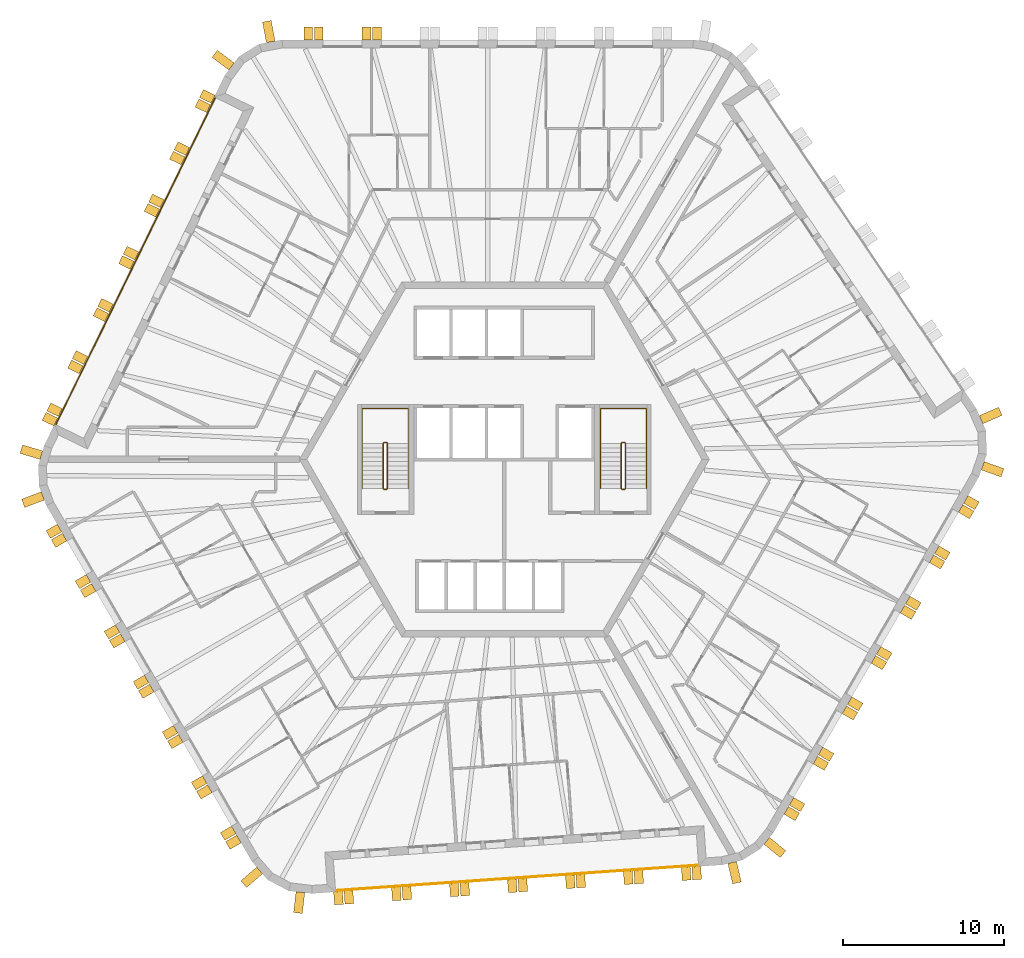
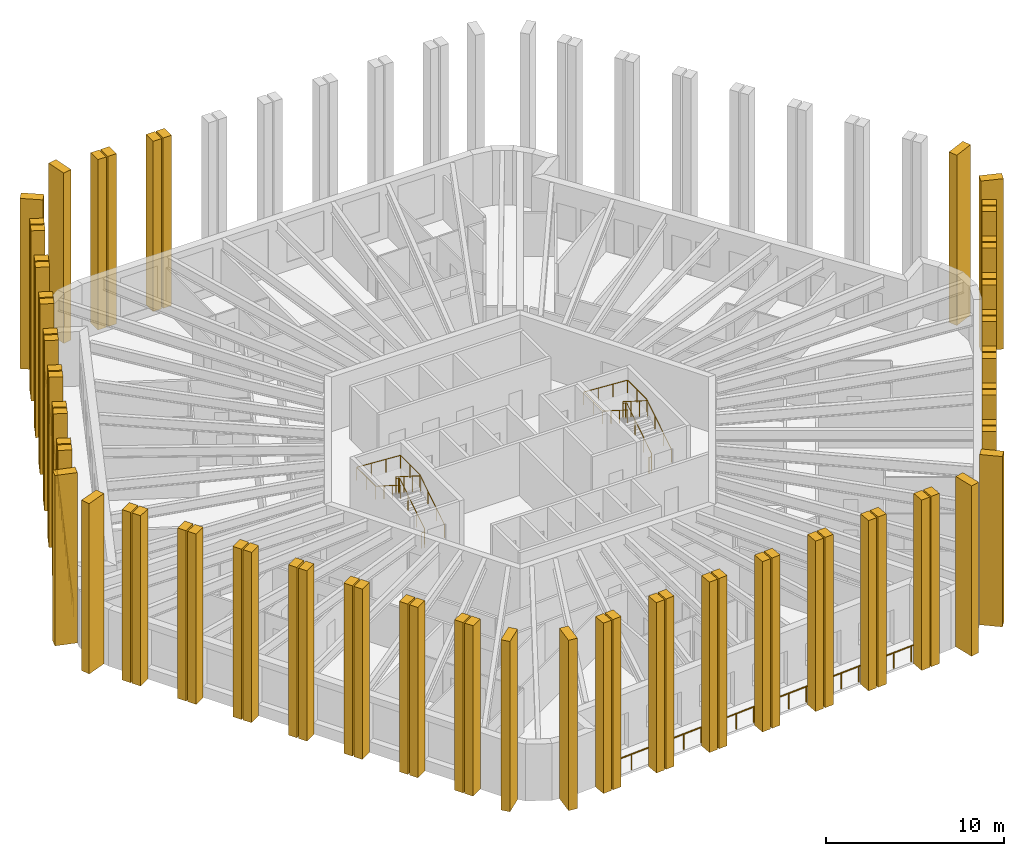
# One storey, part 12 of 13: 70 shading devices, 6 railings.
"""IFC4 building model written with IfcOpenShell, lengths in metres."""

import ifcopenshell
import ifcopenshell.guid

model = None  # the IFC model being written
_history = None  # IfcOwnerHistory: only IFC2X3 demands one
_inside = {}  # id of a spatial element -> (the spatial element, [elements in it])
_under = {}  # id of a project, library or spatial element -> (it, [spatial elements below it])
_declared = {}  # id of a project -> (the project, [libraries it declares])
_typed = {}  # id of a type object -> (the type object, [elements of that type])
_made_of = {}  # id of a material, layer set ... -> (it, [elements and type objects made of it])


def new_model(schema):
    """Start an empty IFC model of exactly this schema.

    Asked for "IFC4X3", IfcOpenShell would pick the latest addendum, in which some entities
    have other attributes; the version numbers below select the first issue.
    IFC2X3 requires an IfcOwnerHistory on every rooted entity: one is made here for all.
    """
    global model, _history
    if schema == "IFC4X3":
        model = ifcopenshell.file(schema_version=(4, 3, 0, 0))
    else:
        model = ifcopenshell.file(schema=schema)
    _inside.clear()
    _under.clear()
    _declared.clear()
    _typed.clear()
    _made_of.clear()
    _history = None
    if model.schema == "IFC2X3":
        org = make("IfcOrganization", Name="unknown")
        user = make(
            "IfcPersonAndOrganization",
            ThePerson=make("IfcPerson", FamilyName="unknown"),
            TheOrganization=org,
        )
        app = make(
            "IfcApplication",
            ApplicationDeveloper=org,
            Version="unknown",
            ApplicationFullName="unknown",
            ApplicationIdentifier="unknown",
        )
        _history = make(
            "IfcOwnerHistory",
            OwningUser=user,
            OwningApplication=app,
            ChangeAction="ADDED",
            CreationDate=0,
        )
    return model


def make(cls, **values):
    """One entity of the class cls with the attributes given. An attribute that is None is left unset."""
    return model.create_entity(
        cls, **{name: value for name, value in values.items() if value is not None}
    )


def rooted(cls, **values):
    """An entity with a GlobalId (a new one), such as an element, a storey or a relation."""
    return make(cls, GlobalId=ifcopenshell.guid.new(), OwnerHistory=_history, **values)


def si_unit(unit_type, name, prefix=None):
    """IfcSIUnit, for example si_unit("LENGTHUNIT", "METRE", prefix="MILLI")."""
    return make("IfcSIUnit", UnitType=unit_type, Prefix=prefix, Name=name)


def assignment(units):
    """IfcUnitAssignment: the units of a project."""
    return None if units is None else make("IfcUnitAssignment", Units=units)


def point(xyz):
    """IfcCartesianPoint."""
    return None if xyz is None else make("IfcCartesianPoint", Coordinates=xyz)


def direction(xyz):
    """IfcDirection."""
    return None if xyz is None else make("IfcDirection", DirectionRatios=xyz)


def frame(location, z_axis=None, x_axis=None):
    """IfcAxis2Placement3D, a coordinate frame: its origin and axes. An axis left out is left unset."""
    return make(
        "IfcAxis2Placement3D",
        Location=point(location),
        Axis=direction(z_axis),
        RefDirection=direction(x_axis),
    )


def frame_2d(location, x_axis=None):
    """IfcAxis2Placement2D, a coordinate frame in the plane: its origin and x axis."""
    return make(
        "IfcAxis2Placement2D", Location=point(location), RefDirection=direction(x_axis)
    )


def origin():
    """The frame at (0, 0, 0) with its axes left unset."""
    return frame((0.0, 0.0, 0.0))


def origin_2d():
    """The frame at (0, 0) in the plane with its x axis left unset."""
    return frame_2d((0.0, 0.0))


def place(relative_to, where):
    """IfcLocalPlacement: puts the frame where relative to a parent placement (None: the world)."""
    return make(
        "IfcLocalPlacement", PlacementRelTo=relative_to, RelativePlacement=where
    )


def context(
    kind, dimensions, precision=None, world=None, true_north=None, identifier=None
):
    """IfcGeometricRepresentationContext, for example the 3D "Model" context."""
    return make(
        "IfcGeometricRepresentationContext",
        ContextIdentifier=identifier,
        ContextType=kind,
        CoordinateSpaceDimension=dimensions,
        Precision=precision,
        WorldCoordinateSystem=world,
        TrueNorth=true_north,
    )


def subcontext(parent, identifier, kind, view, scale=None):
    """IfcGeometricRepresentationSubContext, for example "Body" below "Model"."""
    return make(
        "IfcGeometricRepresentationSubContext",
        ContextIdentifier=identifier,
        ContextType=kind,
        ParentContext=parent,
        TargetScale=scale,
        TargetView=view,
    )


def project(units=None, contexts=None):
    """IfcProject with its units and contexts."""
    return rooted(
        "IfcProject",
        Name="project",
        RepresentationContexts=contexts,
        UnitsInContext=assignment(units),
    )


def spatial(cls, under=None, at=None, **own):
    """A site, building, storey or space (cls), placed at a placement, below another one or the project."""
    s = rooted(cls, ObjectPlacement=at, **own)
    if under is not None:
        _under.setdefault(under.id(), (under, []))[1].append(s)
    return s


def polyline(points):
    """IfcPolyline through the points."""
    return make("IfcPolyline", Points=[point(p) for p in points])


def profile(cls, at=None, kind="AREA", **sizes):
    """A parametric profile (cls). Its sizes go by their IFC names, for example OverallWidth=200.0."""
    return make(cls, ProfileType=kind, Position=at, **sizes)


def circle(**sizes):
    """IfcCircleProfileDef."""
    return profile("IfcCircleProfileDef", **sizes)


def outline(outer, holes=None, kind="AREA"):
    """IfcArbitraryClosedProfileDef: a profile drawn as a closed curve; with holes, ...WithVoids."""
    if holes is None:
        return make("IfcArbitraryClosedProfileDef", ProfileType=kind, OuterCurve=outer)
    return make(
        "IfcArbitraryProfileDefWithVoids",
        ProfileType=kind,
        OuterCurve=outer,
        InnerCurves=holes,
    )


def extrude(swept, where, along, depth):
    """IfcExtrudedAreaSolid: the profile swept, set in the frame where, extruded along a direction by depth."""
    return make(
        "IfcExtrudedAreaSolid",
        SweptArea=swept,
        Position=where,
        ExtrudedDirection=direction(along),
        Depth=depth,
    )


def shape(context_of_items, identifier, shape_type, items):
    """IfcShapeRepresentation: the items that make up one representation, for example the "Body"."""
    return make(
        "IfcShapeRepresentation",
        ContextOfItems=context_of_items,
        RepresentationIdentifier=identifier,
        RepresentationType=shape_type,
        Items=items,
    )


def material(Name=None, Category=None):
    """IfcMaterial."""
    return make("IfcMaterial", Name=Name, Category=Category)


def layer(
    of_material, thickness, ventilated=None, Name=None, Category=None, Priority=None
):
    """IfcMaterialLayer: one layer of a wall or slab, of a material (None: an air gap)."""
    return make(
        "IfcMaterialLayer",
        Material=of_material,
        LayerThickness=thickness,
        IsVentilated=ventilated,
        Name=Name,
        Category=Category,
        Priority=Priority,
    )


def layer_set(layers, Name=None):
    """IfcMaterialLayerSet."""
    return make("IfcMaterialLayerSet", MaterialLayers=layers, LayerSetName=Name)


def made_of(thing, what):
    """Note that an element or type object is made of a material, layer set ...; save() writes the relation."""
    if what is not None:
        _made_of.setdefault(what.id(), (what, []))[1].append(thing)
    return thing


def type_object(cls, material=None, **own):
    """A type object (cls), such as IfcWallType, which elements share."""
    return made_of(rooted(cls, **own), material)


def element(
    cls,
    number,
    at=None,
    inside=None,
    cuts=None,
    type_object=None,
    material=None,
    context=None,
    identifier="Body",
    shape_type=None,
    held_by="IfcProductDefinitionShape",
    body=None,
    shapes=None,
    **own,
):
    """One element of the class cls, such as IfcWall. Its Tag is "e" and its number.

    at: its placement. inside: the storey or other place that contains it. cuts: it is an
    opening in that element (IfcRelVoidsElement). A single representation is given by context,
    identifier, shape_type and body (its items); several are given by shapes. held_by: the class
    of the entity that holds the representations. save() writes the other relations.
    """
    e = rooted(cls, Tag="e%d" % number, ObjectPlacement=at, **own)
    if body is not None:
        shapes = [shape(context, identifier, shape_type, body)]
    if shapes is not None:
        e.Representation = make(held_by, Representations=shapes)
    if inside is not None:
        _inside.setdefault(inside.id(), (inside, []))[1].append(e)
    if cuts is not None:
        rooted(
            "IfcRelVoidsElement", RelatingBuildingElement=cuts, RelatedOpeningElement=e
        )
    if type_object is not None:
        _typed.setdefault(type_object.id(), (type_object, []))[1].append(e)
    return made_of(e, material)


def aggregate(whole, parts):
    """IfcRelAggregates: a whole, such as a stair, and the parts it consists of."""
    return rooted("IfcRelAggregates", RelatingObject=whole, RelatedObjects=parts)


def save(model, path):
    """Write the relations noted so far, then the file.

    IfcRelAggregates (storeys below a building ...), IfcRelContainedInSpatialStructure (elements
    in a storey), IfcRelDefinesByType, IfcRelAssociatesMaterial and IfcRelDeclares: one each for
    every whole, place, type object, material and project.
    """
    for whole, parts in _under.values():
        aggregate(whole, parts)
    for where, things in _inside.values():
        rooted(
            "IfcRelContainedInSpatialStructure",
            RelatedElements=things,
            RelatingStructure=where,
        )
    for kind, things in _typed.values():
        rooted("IfcRelDefinesByType", RelatedObjects=things, RelatingType=kind)
    for what, things in _made_of.values():
        rooted("IfcRelAssociatesMaterial", RelatedObjects=things, RelatingMaterial=what)
    for by, libraries in _declared.values():
        rooted("IfcRelDeclares", RelatingContext=by, RelatedDefinitions=libraries)
    model.write(path)


model = new_model("IFC4")

# Units and contexts
model_context = context("Model", 3, precision=1e-05, world=origin(), true_north=direction((0.0, 1.0)))
body_context = subcontext(model_context, "Body", "Model", "MODEL_VIEW")
ifc_project = project(units=[si_unit("LENGTHUNIT", "METRE"), si_unit("AREAUNIT", "SQUARE_METRE"), si_unit("VOLUMEUNIT", "CUBIC_METRE"), si_unit("PLANEANGLEUNIT", "RADIAN"), si_unit("MASSUNIT", "GRAM", prefix="KILO")], contexts=[model_context])

# Site, building, storey
site_placement = place(None, origin())
site = spatial("IfcSite", under=ifc_project, at=site_placement, CompositionType="ELEMENT")
building_placement = place(site_placement, origin())
building = spatial("IfcBuilding", under=site, at=building_placement, Name="Tarnside Tower", CompositionType="ELEMENT")
storey_placement = place(building_placement, frame((0.0, 0.0, 314.699951171875)))
storey = spatial("IfcBuildingStorey", under=building, at=storey_placement, Name="L76", CompositionType="ELEMENT", Elevation=314.699951171875)

# Railings
ifc_material_1 = material(Name="Toughened glass", Category="glass")
railing_type_1 = type_object("IfcRailingType", Name="Glass guard 1100", PredefinedType="GUARDRAIL", material=ifc_material_1)
railing_1_placement = place(storey_placement, frame((-17.906005859375, 22.415283203125, 0.0)))
element("IfcRailing", 1, at=railing_1_placement, inside=storey, type_object=railing_type_1, Name="Loggia guard L76 F2", PredefinedType="GUARDRAIL", context=body_context, shape_type="SweptSolid", body=[
    extrude(circle(Radius=0.030029296875, at=origin_2d()), frame((0.0, 0.0, 1.070068359375), z_axis=(-0.438372639335, -0.898793318335, 0.0), x_axis=(0.898793318335, -0.438372639335, 0.0)), (0.0, 0.0, 1.0), 22.544921875),
    extrude(circle(Radius=0.02490234375, at=origin_2d()), origin(), (0.0, 0.0, 1.0), 1.0400390625),
    extrude(circle(Radius=0.02490234375, at=origin_2d()), frame((-0.520263671875, -1.06640625, 0.0)), (0.0, 0.0, 1.0), 1.0400390625),
    extrude(circle(Radius=0.02490234375, at=origin_2d()), frame((-1.040283203125, -2.133056640625, 0.0)), (0.0, 0.0, 1.0), 1.0400390625),
    extrude(circle(Radius=0.02490234375, at=origin_2d()), frame((-1.560546875, -3.199462890625, 0.0)), (0.0, 0.0, 1.0), 1.0400390625),
    extrude(circle(Radius=0.02490234375, at=origin_2d()), frame((-2.08056640625, -4.265869140625, 0.0)), (0.0, 0.0, 1.0), 1.0400390625),
    extrude(circle(Radius=0.02490234375, at=origin_2d()), frame((-2.600830078125, -5.33251953125, 0.0)), (0.0, 0.0, 1.0), 1.0400390625),
    extrude(circle(Radius=0.02490234375, at=origin_2d()), frame((-3.120849609375, -6.39892578125, 0.0)), (0.0, 0.0, 1.0), 1.0400390625),
    extrude(circle(Radius=0.02490234375, at=origin_2d()), frame((-3.64111328125, -7.46533203125, 0.0)), (0.0, 0.0, 1.0), 1.0400390625),
    extrude(circle(Radius=0.02490234375, at=origin_2d()), frame((-4.161376953125, -8.531982421875, 0.0)), (0.0, 0.0, 1.0), 1.0400390625),
    extrude(circle(Radius=0.02490234375, at=origin_2d()), frame((-4.681396484375, -9.598388671875, 0.0)), (0.0, 0.0, 1.0), 1.0400390625),
    extrude(circle(Radius=0.02490234375, at=origin_2d()), frame((-5.20166015625, -10.664794921875, 0.0)), (0.0, 0.0, 1.0), 1.0400390625),
    extrude(circle(Radius=0.02490234375, at=origin_2d()), frame((-5.7216796875, -11.731201171875, 0.0)), (0.0, 0.0, 1.0), 1.0400390625),
    extrude(circle(Radius=0.02490234375, at=origin_2d()), frame((-6.241943359375, -12.7978515625, 0.0)), (0.0, 0.0, 1.0), 1.0400390625),
    extrude(circle(Radius=0.02490234375, at=origin_2d()), frame((-6.76220703125, -13.8642578125, 0.0)), (0.0, 0.0, 1.0), 1.0400390625),
    extrude(circle(Radius=0.02490234375, at=origin_2d()), frame((-7.2822265625, -14.9306640625, 0.0)), (0.0, 0.0, 1.0), 1.0400390625),
    extrude(circle(Radius=0.02490234375, at=origin_2d()), frame((-7.802490234375, -15.997314453125, 0.0)), (0.0, 0.0, 1.0), 1.0400390625),
    extrude(circle(Radius=0.02490234375, at=origin_2d()), frame((-8.322509765625, -17.063720703125, 0.0)), (0.0, 0.0, 1.0), 1.0400390625),
    extrude(circle(Radius=0.02490234375, at=origin_2d()), frame((-8.8427734375, -18.130126953125, 0.0)), (0.0, 0.0, 1.0), 1.0400390625),
    extrude(circle(Radius=0.02490234375, at=origin_2d()), frame((-9.36279296875, -19.19677734375, 0.0)), (0.0, 0.0, 1.0), 1.0400390625),
    extrude(circle(Radius=0.02490234375, at=origin_2d()), frame((-9.883056640625, -20.26318359375, 0.0)), (0.0, 0.0, 1.0), 1.0400390625),
])
railing_2_placement = place(storey_placement, frame((-10.458984375, -26.714599609375, 0.0)))
element("IfcRailing", 2, at=railing_2_placement, inside=storey, type_object=railing_type_1, Name="Loggia guard L76 F4", PredefinedType="GUARDRAIL", context=body_context, shape_type="SweptSolid", body=[
    extrude(circle(Radius=0.030029296875, at=origin_2d()), frame((0.0, 0.0, 1.070068359375), z_axis=(0.997564440639, 0.069750890837, 0.0), x_axis=(-0.069750890837, 0.997564440639, 0.0)), (0.0, 0.0, 1.0), 22.544677734375),
    extrude(circle(Radius=0.02490234375, at=origin_2d()), origin(), (0.0, 0.0, 1.0), 1.0400390625),
    extrude(circle(Radius=0.02490234375, at=origin_2d()), frame((1.18359375, 0.082763671875, 0.0)), (0.0, 0.0, 1.0), 1.0400390625),
    extrude(circle(Radius=0.02490234375, at=origin_2d()), frame((2.367431640625, 0.16552734375, 0.0)), (0.0, 0.0, 1.0), 1.0400390625),
    extrude(circle(Radius=0.02490234375, at=origin_2d()), frame((3.551025390625, 0.248291015625, 0.0)), (0.0, 0.0, 1.0), 1.0400390625),
    extrude(circle(Radius=0.02490234375, at=origin_2d()), frame((4.734619140625, 0.3310546875, 0.0)), (0.0, 0.0, 1.0), 1.0400390625),
    extrude(circle(Radius=0.02490234375, at=origin_2d()), frame((5.91845703125, 0.413818359375, 0.0)), (0.0, 0.0, 1.0), 1.0400390625),
    extrude(circle(Radius=0.02490234375, at=origin_2d()), frame((7.10205078125, 0.49658203125, 0.0)), (0.0, 0.0, 1.0), 1.0400390625),
    extrude(circle(Radius=0.02490234375, at=origin_2d()), frame((8.28564453125, 0.579345703125, 0.0)), (0.0, 0.0, 1.0), 1.0400390625),
    extrude(circle(Radius=0.02490234375, at=origin_2d()), frame((9.469482421875, 0.662109375, 0.0)), (0.0, 0.0, 1.0), 1.0400390625),
    extrude(circle(Radius=0.02490234375, at=origin_2d()), frame((10.653076171875, 0.744873046875, 0.0)), (0.0, 0.0, 1.0), 1.0400390625),
    extrude(circle(Radius=0.02490234375, at=origin_2d()), frame((11.836669921875, 0.82763671875, 0.0)), (0.0, 0.0, 1.0), 1.0400390625),
    extrude(circle(Radius=0.02490234375, at=origin_2d()), frame((13.020263671875, 0.910400390625, 0.0)), (0.0, 0.0, 1.0), 1.0400390625),
    extrude(circle(Radius=0.02490234375, at=origin_2d()), frame((14.2041015625, 0.9931640625, 0.0)), (0.0, 0.0, 1.0), 1.0400390625),
    extrude(circle(Radius=0.02490234375, at=origin_2d()), frame((15.3876953125, 1.075927734375, 0.0)), (0.0, 0.0, 1.0), 1.0400390625),
    extrude(circle(Radius=0.02490234375, at=origin_2d()), frame((16.5712890625, 1.15869140625, 0.0)), (0.0, 0.0, 1.0), 1.0400390625),
    extrude(circle(Radius=0.02490234375, at=origin_2d()), frame((17.755126953125, 1.241455078125, 0.0)), (0.0, 0.0, 1.0), 1.0400390625),
    extrude(circle(Radius=0.02490234375, at=origin_2d()), frame((18.938720703125, 1.32421875, 0.0)), (0.0, 0.0, 1.0), 1.0400390625),
    extrude(circle(Radius=0.02490234375, at=origin_2d()), frame((20.122314453125, 1.406982421875, 0.0)), (0.0, 0.0, 1.0), 1.0400390625),
    extrude(circle(Radius=0.02490234375, at=origin_2d()), frame((21.30615234375, 1.48974609375, 0.0)), (0.0, 0.0, 1.0), 1.0400390625),
    extrude(circle(Radius=0.02490234375, at=origin_2d()), frame((22.48974609375, 1.572509765625, 0.0)), (0.0, 0.0, 1.0), 1.0400390625),
])

# Shading devices
ifc_material_2 = material(Name="Concrete C50/60 white precast", Category="concrete")
ifc_layer_1 = layer(ifc_material_2, 0.550048828125)
ifc_layer_set_1 = layer_set([ifc_layer_1], Name="Precast fin 550 x 1300")
shading_device_type_1 = type_object("IfcShadingDeviceType", Name="Precast fin 550 x 1300", PredefinedType="USERDEFINED", material=ifc_layer_set_1)
for number, where, z_axis, x_axis, name in (
    (3, (-14.4755859375, 25.8671875, -0.14990234375), (0.982720646705, 0.18509492305, 0.0), (-0.18509492305, 0.982720646705, 0.0), "Precast fin"),
    (4, (-16.903564453125, 24.349853515625, -0.14990234375), (0.597158591707, 0.802123192752, 0.0), (-0.802123192752, 0.597158591707, 0.0), "Precast fin"),
    (5, (-28.685791015625, 0.263427734375, -0.14990234375), (0.286803232717, 0.957989512314, 0.0), (-0.957989512314, 0.286803232717, 0.0), "Precast fin"),
    (6, (-28.597412109375, -2.263671875, -0.14990234375), (-0.352930564719, 0.935649515837, 0.0), (-0.935649515837, -0.352930564719, 0.0), "Precast fin"),
    (7, (-15.163818359375, -25.4697265625, -0.14990234375), (-0.651657228826, 0.758513583345, 0.0), (-0.758513583345, -0.651657228826, 0.0), "Precast fin"),
    (8, (-12.6357421875, -26.81396484375, -0.14990234375), (-0.993238357741, 0.116092914131, 0.0), (-0.116092914131, -0.993238357741, 0.0), "Precast fin"),
    (9, (14.11474609375, -24.974365234375, -0.14990234375), (-0.973044870581, -0.230615870737, 0.0), (0.230615870737, -0.973044870581, 0.0), "Precast fin"),
    (10, (16.25927734375, -23.63427734375, -0.14990234375), (-0.633830967394, -0.773471592738, 0.0), (0.773471592738, -0.633830967394, 0.0), "Precast fin"),
    (11, (29.639404296875, -0.3974609375, -0.14990234375), (-0.331063417879, -0.943608506396, 0.0), (0.943608506396, -0.331063417879, 0.0), "Precast fin"),
    (12, (29.53955078125, 2.464111328125, -0.14990234375), (0.396079766034, -0.918216106883, 0.0), (0.918216106883, 0.396079766034, 0.0), "Precast fin"),
):
    element("IfcShadingDevice", number, at=place(storey_placement, frame(where, z_axis=z_axis, x_axis=x_axis)), inside=storey, type_object=shading_device_type_1, Name=name, ObjectType="FIN", PredefinedType="USERDEFINED", context=body_context, shape_type="SweptSolid", body=[
        extrude(outline(polyline([(0.0, 0.0), (1.300048828125, 0.0), (1.300048828125, 11.699951171875), (0.0, 11.699951171875), (0.0, 0.0)])), frame((0.0, 0.0, -0.27490234375)), (0.0, 0.0, 1.0), 0.550048828125),
    ])
ifc_layer_2 = layer(ifc_material_2, 0.550048828125)
ifc_layer_set_2 = layer_set([ifc_layer_2], Name="Precast fin 550 x 800")
shading_device_type_2 = type_object("IfcShadingDeviceType", Name="Precast fin 550 x 800", PredefinedType="USERDEFINED", material=ifc_layer_set_2)
for number, where, z_axis, x_axis, name in (
    (13, (-7.89990234375, 26.0, -0.14990234375), (1.0, 0.0, 0.0), (0.0, 1.0, 0.0), "Precast fin"),
    (14, (-8.5498046875, 26.0, -0.14990234375), (1.0, 0.0, 0.0), (0.0, 1.0, 0.0), "Precast fin"),
    (15, (-11.499755859375, 26.0, -0.14990234375), (1.0, 0.0, 0.0), (0.0, 1.0, 0.0), "Precast fin"),
    (16, (-12.14990234375, 26.0, -0.14990234375), (1.0, 0.0, 0.0), (0.0, 1.0, 0.0), "Precast fin"),
    (17, (-18.04248046875, 22.31787109375, -0.14990234375), (0.438371146789, 0.898794046299, 0.0), (-0.898794046299, 0.438371146789, 0.0), "Precast fin"),
    (18, (-18.327392578125, 21.733642578125, -0.14990234375), (0.438371146789, 0.898794046299, 0.0), (-0.898794046299, 0.438371146789, 0.0), "Precast fin"),
    (19, (-19.62060546875, 19.08203125, -0.14990234375), (0.438371146789, 0.898794046299, 0.0), (-0.898794046299, 0.438371146789, 0.0), "Precast fin"),
    (20, (-19.905517578125, 18.497802734375, -0.14990234375), (0.438371146789, 0.898794046299, 0.0), (-0.898794046299, 0.438371146789, 0.0), "Precast fin"),
    (21, (-21.19873046875, 15.846435546875, -0.14990234375), (0.438371146789, 0.898794046299, 0.0), (-0.898794046299, 0.438371146789, 0.0), "Precast fin"),
    (22, (-21.48388671875, 15.26220703125, -0.14990234375), (0.438371146789, 0.898794046299, 0.0), (-0.898794046299, 0.438371146789, 0.0), "Precast fin"),
    (23, (-22.77685546875, 12.61083984375, -0.14990234375), (0.438371146789, 0.898794046299, 0.0), (-0.898794046299, 0.438371146789, 0.0), "Precast fin"),
    (24, (-23.06201171875, 12.026611328125, -0.14990234375), (0.438371146789, 0.898794046299, 0.0), (-0.898794046299, 0.438371146789, 0.0), "Precast fin"),
    (25, (-24.35498046875, 9.375, -0.14990234375), (0.438371146789, 0.898794046299, 0.0), (-0.898794046299, 0.438371146789, 0.0), "Precast fin"),
    (26, (-24.64013671875, 8.791015625, -0.14990234375), (0.438371146789, 0.898794046299, 0.0), (-0.898794046299, 0.438371146789, 0.0), "Precast fin"),
    (27, (-25.933349609375, 6.139404296875, -0.14990234375), (0.438371146789, 0.898794046299, 0.0), (-0.898794046299, 0.438371146789, 0.0), "Precast fin"),
    (28, (-26.21826171875, 5.55517578125, -0.14990234375), (0.438371146789, 0.898794046299, 0.0), (-0.898794046299, 0.438371146789, 0.0), "Precast fin"),
    (29, (-27.511474609375, 2.90380859375, -0.14990234375), (0.438371146789, 0.898794046299, 0.0), (-0.898794046299, 0.438371146789, 0.0), "Precast fin"),
    (30, (-27.79638671875, 2.319580078125, -0.14990234375), (0.438371146789, 0.898794046299, 0.0), (-0.898794046299, 0.438371146789, 0.0), "Precast fin"),
    (31, (-27.566650390625, -4.2529296875, -0.14990234375), (-0.5, 0.866025403784, 0.0), (-0.866025403784, -0.5, 0.0), "Precast fin"),
    (32, (-27.24169921875, -4.81591796875, -0.14990234375), (-0.5, 0.866025403784, 0.0), (-0.866025403784, -0.5, 0.0), "Precast fin"),
    (33, (-25.766845703125, -7.37060546875, -0.14990234375), (-0.5, 0.866025403784, 0.0), (-0.866025403784, -0.5, 0.0), "Precast fin"),
    (34, (-25.441650390625, -7.93359375, -0.14990234375), (-0.5, 0.866025403784, 0.0), (-0.866025403784, -0.5, 0.0), "Precast fin"),
    (35, (-23.966796875, -10.48828125, -0.14990234375), (-0.5, 0.866025403784, 0.0), (-0.866025403784, -0.5, 0.0), "Precast fin"),
    (36, (-23.641845703125, -11.05126953125, -0.14990234375), (-0.5, 0.866025403784, 0.0), (-0.866025403784, -0.5, 0.0), "Precast fin"),
    (37, (-22.166748046875, -13.60595703125, -0.14990234375), (-0.5, 0.866025403784, 0.0), (-0.866025403784, -0.5, 0.0), "Precast fin"),
    (38, (-21.841796875, -14.1689453125, -0.14990234375), (-0.5, 0.866025403784, 0.0), (-0.866025403784, -0.5, 0.0), "Precast fin"),
    (39, (-20.36669921875, -16.7236328125, -0.14990234375), (-0.5, 0.866025403784, 0.0), (-0.866025403784, -0.5, 0.0), "Precast fin"),
    (40, (-20.041748046875, -17.28662109375, -0.14990234375), (-0.5, 0.866025403784, 0.0), (-0.866025403784, -0.5, 0.0), "Precast fin"),
    (41, (-18.566650390625, -19.84130859375, -0.14990234375), (-0.5, 0.866025403784, 0.0), (-0.866025403784, -0.5, 0.0), "Precast fin"),
    (42, (-18.24169921875, -20.404296875, -0.14990234375), (-0.5, 0.866025403784, 0.0), (-0.866025403784, -0.5, 0.0), "Precast fin"),
    (43, (-16.766845703125, -22.959228515625, -0.14990234375), (-0.5, 0.866025403784, 0.0), (-0.866025403784, -0.5, 0.0), "Precast fin"),
    (44, (-16.441650390625, -23.52197265625, -0.14990234375), (-0.5, 0.866025403784, 0.0), (-0.866025403784, -0.5, 0.0), "Precast fin"),
    (45, (-10.306396484375, -26.7841796875, -0.14990234375), (-0.99756405026, -0.069756473744, 0.0), (0.069756473744, -0.99756405026, 0.0), "Precast fin"),
    (46, (-9.657958984375, -26.73876953125, -0.14990234375), (-0.99756405026, -0.069756473744, 0.0), (0.069756473744, -0.99756405026, 0.0), "Precast fin"),
    (47, (-6.71533203125, -26.532958984375, -0.14990234375), (-0.99756405026, -0.069756473744, 0.0), (0.069756473744, -0.99756405026, 0.0), "Precast fin"),
    (48, (-6.06689453125, -26.48779296875, -0.14990234375), (-0.99756405026, -0.069756473744, 0.0), (0.069756473744, -0.99756405026, 0.0), "Precast fin"),
    (49, (-3.1240234375, -26.281982421875, -0.14990234375), (-0.99756405026, -0.069756473744, 0.0), (0.069756473744, -0.99756405026, 0.0), "Precast fin"),
    (50, (-2.4755859375, -26.236572265625, -0.14990234375), (-0.99756405026, -0.069756473744, 0.0), (0.069756473744, -0.99756405026, 0.0), "Precast fin"),
    (51, (0.46728515625, -26.03076171875, -0.14990234375), (-0.99756405026, -0.069756473744, 0.0), (0.069756473744, -0.99756405026, 0.0), "Precast fin"),
    (52, (1.11572265625, -25.985595703125, -0.14990234375), (-0.99756405026, -0.069756473744, 0.0), (0.069756473744, -0.99756405026, 0.0), "Precast fin"),
    (53, (4.058349609375, -25.77978515625, -0.14990234375), (-0.99756405026, -0.069756473744, 0.0), (0.069756473744, -0.99756405026, 0.0), "Precast fin"),
    (54, (4.706787109375, -25.734375, -0.14990234375), (-0.99756405026, -0.069756473744, 0.0), (0.069756473744, -0.99756405026, 0.0), "Precast fin"),
    (55, (7.649658203125, -25.528564453125, -0.14990234375), (-0.99756405026, -0.069756473744, 0.0), (0.069756473744, -0.99756405026, 0.0), "Precast fin"),
    (56, (8.298095703125, -25.483154296875, -0.14990234375), (-0.99756405026, -0.069756473744, 0.0), (0.069756473744, -0.99756405026, 0.0), "Precast fin"),
    (57, (11.240966796875, -25.27734375, -0.14990234375), (-0.99756405026, -0.069756473744, 0.0), (0.069756473744, -0.99756405026, 0.0), "Precast fin"),
    (58, (11.889404296875, -25.232177734375, -0.14990234375), (-0.99756405026, -0.069756473744, 0.0), (0.069756473744, -0.99756405026, 0.0), "Precast fin"),
    (59, (17.466552734375, -21.7470703125, -0.14990234375), (-0.5, -0.866025403784, 0.0), (0.866025403784, -0.5, 0.0), "Precast fin"),
    (60, (17.79150390625, -21.18408203125, -0.14990234375), (-0.5, -0.866025403784, 0.0), (0.866025403784, -0.5, 0.0), "Precast fin"),
    (61, (19.2666015625, -18.62939453125, -0.14990234375), (-0.5, -0.866025403784, 0.0), (0.866025403784, -0.5, 0.0), "Precast fin"),
    (62, (19.591552734375, -18.06640625, -0.14990234375), (-0.5, -0.866025403784, 0.0), (0.866025403784, -0.5, 0.0), "Precast fin"),
    (63, (21.066650390625, -15.51171875, -0.14990234375), (-0.5, -0.866025403784, 0.0), (0.866025403784, -0.5, 0.0), "Precast fin"),
    (64, (21.3916015625, -14.94873046875, -0.14990234375), (-0.5, -0.866025403784, 0.0), (0.866025403784, -0.5, 0.0), "Precast fin"),
    (65, (22.866455078125, -12.39404296875, -0.14990234375), (-0.5, -0.866025403784, 0.0), (0.866025403784, -0.5, 0.0), "Precast fin"),
    (66, (23.191650390625, -11.8310546875, -0.14990234375), (-0.5, -0.866025403784, 0.0), (0.866025403784, -0.5, 0.0), "Precast fin"),
    (67, (24.66650390625, -9.2763671875, -0.14990234375), (-0.5, -0.866025403784, 0.0), (0.866025403784, -0.5, 0.0), "Precast fin"),
    (68, (24.991455078125, -8.71337890625, -0.14990234375), (-0.5, -0.866025403784, 0.0), (0.866025403784, -0.5, 0.0), "Precast fin"),
    (69, (26.466552734375, -6.15869140625, -0.14990234375), (-0.5, -0.866025403784, 0.0), (0.866025403784, -0.5, 0.0), "Precast fin"),
    (70, (26.79150390625, -5.595703125, -0.14990234375), (-0.5, -0.866025403784, 0.0), (0.866025403784, -0.5, 0.0), "Precast fin"),
    (71, (28.2666015625, -3.040771484375, -0.14990234375), (-0.5, -0.866025403784, 0.0), (0.866025403784, -0.5, 0.0), "Precast fin"),
    (72, (28.591552734375, -2.47802734375, -0.14990234375), (-0.5, -0.866025403784, 0.0), (0.866025403784, -0.5, 0.0), "Precast fin"),
):
    element("IfcShadingDevice", number, at=place(storey_placement, frame(where, z_axis=z_axis, x_axis=x_axis)), inside=storey, type_object=shading_device_type_2, Name=name, ObjectType="FIN", PredefinedType="USERDEFINED", context=body_context, shape_type="SweptSolid", body=[
        extrude(outline(polyline([(0.0, 0.0), (0.800048828125, 0.0), (0.800048828125, 11.699951171875), (0.0, 11.699951171875), (0.0, 0.0)])), frame((0.0, 0.0, -0.27490234375)), (0.0, 0.0, 1.0), 0.550048828125),
    ])

# Railings
ifc_material_3 = material(Name="Stainless steel", Category="steel")
railing_type_2 = type_object("IfcRailingType", Name="Stair guard 1100", PredefinedType="GUARDRAIL", material=ifc_material_3)
railing_3_placement = place(storey_placement, frame((7.300048828125, -1.85009765625, 0.0)))
element("IfcRailing", 73, at=railing_3_placement, inside=storey, type_object=railing_type_2, Name="L76 ST1 stair guard 1", PredefinedType="GUARDRAIL", context=body_context, shape_type="SweptSolid", body=[
    extrude(circle(Radius=0.02392578125, at=origin_2d()), frame((0.0, 0.0, 1.076171875), z_axis=(1.0, 0.0, 0.0), x_axis=(0.0, 1.0, 0.0)), (0.0, 0.0, 1.0), 0.14990234375),
    extrude(circle(Radius=0.02392578125, at=origin_2d()), frame((0.14990234375, 0.0, 1.076171875), z_axis=(0.262233686654, 0.262233686654, 0.928691007369), x_axis=(-0.707106781187, 0.707106781187, 0.0)), (0.0, 0.0, 1.0), 0.19091796875),
    extrude(circle(Radius=0.02392578125, at=origin_2d()), frame((0.199951171875, 0.050048828125, 1.25341796875), z_axis=(0.0, 0.844908973607, 0.534910110503), x_axis=(-1.0, 0.0, 0.0)), (0.0, 0.0, 1.0), 3.31396484375),
    extrude(circle(Radius=0.02392578125, at=origin_2d()), frame((0.199951171875, 2.85009765625, 3.02587890625), z_axis=(-0.707106781187, 0.707106781187, 0.0), x_axis=(-0.707106781187, -0.707106781187, 0.0)), (0.0, 0.0, 1.0), 0.07080078125),
    extrude(circle(Radius=0.02392578125, at=origin_2d()), frame((0.14990234375, 2.900146484375, 3.02587890625), z_axis=(-1.0, 0.0, 0.0), x_axis=(0.0, -1.0, 0.0)), (0.0, 0.0, 1.0), 0.14990234375),
    extrude(circle(Radius=0.02392578125, at=origin_2d()), frame((0.0, 2.900146484375, 3.02587890625), z_axis=(-0.261922500866, -0.261922500866, 0.928866625022), x_axis=(0.707106781187, -0.707106781187, 0.0)), (0.0, 0.0, 1.0), 0.191162109375),
    extrude(circle(Radius=0.02392578125, at=origin_2d()), frame((-0.050048828125, 2.85009765625, 3.20361328125), z_axis=(0.0, -0.844908973607, 0.534910110503), x_axis=(1.0, 0.0, 0.0)), (0.0, 0.0, 1.0), 3.31396484375),
    extrude(circle(Radius=0.02099609375, at=origin_2d()), origin(), (0.0, 0.0, 1.0), 1.052001953125),
    extrude(circle(Radius=0.02099609375, at=origin_2d()), frame((0.14990234375, 0.0, 0.0)), (0.0, 0.0, 1.0), 1.052001953125),
    extrude(circle(Radius=0.02099609375, at=origin_2d()), frame((0.199951171875, 0.050048828125, 0.17724609375)), (0.0, 0.0, 1.0), 1.052001953125),
    extrude(circle(Radius=0.02099609375, at=origin_2d()), frame((0.199951171875, 0.9833984375, 0.76806640625)), (0.0, 0.0, 1.0), 1.052001953125),
    extrude(circle(Radius=0.02099609375, at=origin_2d()), frame((0.199951171875, 1.916748046875, 1.359130859375)), (0.0, 0.0, 1.0), 1.052001953125),
    extrude(circle(Radius=0.02099609375, at=origin_2d()), frame((0.199951171875, 2.85009765625, 1.949951171875)), (0.0, 0.0, 1.0), 1.052001953125),
    extrude(circle(Radius=0.02099609375, at=origin_2d()), frame((0.14990234375, 2.900146484375, 1.949951171875)), (0.0, 0.0, 1.0), 1.052001953125),
    extrude(circle(Radius=0.02099609375, at=origin_2d()), frame((0.0, 2.900146484375, 1.949951171875)), (0.0, 0.0, 1.0), 1.052001953125),
    extrude(circle(Radius=0.02099609375, at=origin_2d()), frame((-0.050048828125, 2.85009765625, 2.12744140625)), (0.0, 0.0, 1.0), 1.052001953125),
    extrude(circle(Radius=0.02099609375, at=origin_2d()), frame((-0.050048828125, 1.916748046875, 2.71826171875)), (0.0, 0.0, 1.0), 1.052001953125),
    extrude(circle(Radius=0.02099609375, at=origin_2d()), frame((-0.050048828125, 0.9833984375, 3.309326171875)), (0.0, 0.0, 1.0), 1.052001953125),
    extrude(circle(Radius=0.02099609375, at=origin_2d()), frame((-0.050048828125, 0.050048828125, 3.900146484375)), (0.0, 0.0, 1.0), 1.052001953125),
])
railing_4_placement = place(storey_placement, frame((-7.449951171875, -1.85009765625, 0.0)))
element("IfcRailing", 74, at=railing_4_placement, inside=storey, type_object=railing_type_2, Name="L76 ST2 stair guard 1", PredefinedType="GUARDRAIL", context=body_context, shape_type="SweptSolid", body=[
    extrude(circle(Radius=0.02392578125, at=origin_2d()), frame((0.0, 0.0, 1.076171875), z_axis=(1.0, 0.0, 0.0), x_axis=(0.0, 1.0, 0.0)), (0.0, 0.0, 1.0), 0.14990234375),
    extrude(circle(Radius=0.02392578125, at=origin_2d()), frame((0.14990234375, 0.0, 1.076171875), z_axis=(0.262233686654, 0.262233686654, 0.928691007369), x_axis=(-0.707106781187, 0.707106781187, 0.0)), (0.0, 0.0, 1.0), 0.19091796875),
    extrude(circle(Radius=0.02392578125, at=origin_2d()), frame((0.199951171875, 0.050048828125, 1.25341796875), z_axis=(0.0, 0.844908973607, 0.534910110503), x_axis=(-1.0, 0.0, 0.0)), (0.0, 0.0, 1.0), 3.31396484375),
    extrude(circle(Radius=0.02392578125, at=origin_2d()), frame((0.199951171875, 2.85009765625, 3.02587890625), z_axis=(-0.707106781187, 0.707106781187, 0.0), x_axis=(-0.707106781187, -0.707106781187, 0.0)), (0.0, 0.0, 1.0), 0.07080078125),
    extrude(circle(Radius=0.02392578125, at=origin_2d()), frame((0.14990234375, 2.900146484375, 3.02587890625), z_axis=(-1.0, 0.0, 0.0), x_axis=(0.0, -1.0, 0.0)), (0.0, 0.0, 1.0), 0.14990234375),
    extrude(circle(Radius=0.02392578125, at=origin_2d()), frame((0.0, 2.900146484375, 3.02587890625), z_axis=(-0.261922500866, -0.261922500866, 0.928866625022), x_axis=(0.707106781187, -0.707106781187, 0.0)), (0.0, 0.0, 1.0), 0.191162109375),
    extrude(circle(Radius=0.02392578125, at=origin_2d()), frame((-0.050048828125, 2.85009765625, 3.20361328125), z_axis=(0.0, -0.844908973607, 0.534910110503), x_axis=(1.0, 0.0, 0.0)), (0.0, 0.0, 1.0), 3.31396484375),
    extrude(circle(Radius=0.02099609375, at=origin_2d()), origin(), (0.0, 0.0, 1.0), 1.052001953125),
    extrude(circle(Radius=0.02099609375, at=origin_2d()), frame((0.14990234375, 0.0, 0.0)), (0.0, 0.0, 1.0), 1.052001953125),
    extrude(circle(Radius=0.02099609375, at=origin_2d()), frame((0.199951171875, 0.050048828125, 0.17724609375)), (0.0, 0.0, 1.0), 1.052001953125),
    extrude(circle(Radius=0.02099609375, at=origin_2d()), frame((0.199951171875, 0.9833984375, 0.76806640625)), (0.0, 0.0, 1.0), 1.052001953125),
    extrude(circle(Radius=0.02099609375, at=origin_2d()), frame((0.199951171875, 1.916748046875, 1.359130859375)), (0.0, 0.0, 1.0), 1.052001953125),
    extrude(circle(Radius=0.02099609375, at=origin_2d()), frame((0.199951171875, 2.85009765625, 1.949951171875)), (0.0, 0.0, 1.0), 1.052001953125),
    extrude(circle(Radius=0.02099609375, at=origin_2d()), frame((0.14990234375, 2.900146484375, 1.949951171875)), (0.0, 0.0, 1.0), 1.052001953125),
    extrude(circle(Radius=0.02099609375, at=origin_2d()), frame((0.0, 2.900146484375, 1.949951171875)), (0.0, 0.0, 1.0), 1.052001953125),
    extrude(circle(Radius=0.02099609375, at=origin_2d()), frame((-0.050048828125, 2.85009765625, 2.12744140625)), (0.0, 0.0, 1.0), 1.052001953125),
    extrude(circle(Radius=0.02099609375, at=origin_2d()), frame((-0.050048828125, 1.916748046875, 2.71826171875)), (0.0, 0.0, 1.0), 1.052001953125),
    extrude(circle(Radius=0.02099609375, at=origin_2d()), frame((-0.050048828125, 0.9833984375, 3.309326171875)), (0.0, 0.0, 1.0), 1.052001953125),
    extrude(circle(Radius=0.02099609375, at=origin_2d()), frame((-0.050048828125, 0.050048828125, 3.900146484375)), (0.0, 0.0, 1.0), 1.052001953125),
])
railing_type_3 = type_object("IfcRailingType", Name="Stair handrail 900", PredefinedType="HANDRAIL", material=ifc_material_3)
railing_5_placement = place(storey_placement, frame((8.800048828125, -1.800048828125, 0.17724609375)))
element("IfcRailing", 75, at=railing_5_placement, inside=storey, type_object=railing_type_3, Name="L76 ST1 stair handrail 1", PredefinedType="HANDRAIL", context=body_context, shape_type="SweptSolid", body=[
    extrude(circle(Radius=0.02392578125, at=origin_2d()), frame((0.0, 0.0, 0.8857421875), z_axis=(0.0, 0.844908973607, 0.534910110503), x_axis=(-1.0, 0.0, 0.0)), (0.0, 0.0, 1.0), 3.31396484375),
    extrude(circle(Radius=0.02392578125, at=origin_2d()), frame((0.0, 2.800048828125, 2.65869140625), z_axis=(0.0, 1.0, 0.0), x_axis=(-1.0, 0.0, 0.0)), (0.0, 0.0, 1.0), 2.14990234375),
    extrude(circle(Radius=0.02392578125, at=origin_2d()), frame((0.0, 4.949951171875, 2.65869140625), z_axis=(-0.998066525363, 0.0, 0.062154733933), x_axis=(0.0, -1.0, 0.0)), (0.0, 0.0, 1.0), 2.855712890625),
    extrude(circle(Radius=0.02392578125, at=origin_2d()), frame((-2.85009765625, 4.949951171875, 2.8359375), z_axis=(0.0, -1.0, 0.0), x_axis=(1.0, 0.0, 0.0)), (0.0, 0.0, 1.0), 2.14990234375),
    extrude(circle(Radius=0.02392578125, at=origin_2d()), frame((-2.85009765625, 2.800048828125, 2.8359375), z_axis=(0.0, -0.844908973607, 0.534910110503), x_axis=(1.0, 0.0, 0.0)), (0.0, 0.0, 1.0), 3.31396484375),
    extrude(circle(Radius=0.02099609375, at=origin_2d()), origin(), (0.0, 0.0, 1.0), 0.86181640625),
    extrude(circle(Radius=0.02099609375, at=origin_2d()), frame((0.0, 0.933349609375, 0.5908203125)), (0.0, 0.0, 1.0), 0.86181640625),
    extrude(circle(Radius=0.02099609375, at=origin_2d()), frame((0.0, 1.86669921875, 1.181884765625)), (0.0, 0.0, 1.0), 0.86181640625),
    extrude(circle(Radius=0.02099609375, at=origin_2d()), frame((0.0, 2.800048828125, 1.772705078125)), (0.0, 0.0, 1.0), 0.86181640625),
    extrude(circle(Radius=0.02099609375, at=origin_2d()), frame((0.0, 3.875, 1.772705078125)), (0.0, 0.0, 1.0), 0.86181640625),
    extrude(circle(Radius=0.02099609375, at=origin_2d()), frame((0.0, 4.949951171875, 1.772705078125)), (0.0, 0.0, 1.0), 0.86181640625),
    extrude(circle(Radius=0.02099609375, at=origin_2d()), frame((-0.949951171875, 4.949951171875, 1.831787109375)), (0.0, 0.0, 1.0), 0.86181640625),
    extrude(circle(Radius=0.02099609375, at=origin_2d()), frame((-1.900146484375, 4.949951171875, 1.89111328125)), (0.0, 0.0, 1.0), 0.86181640625),
    extrude(circle(Radius=0.02099609375, at=origin_2d()), frame((-2.85009765625, 4.949951171875, 1.9501953125)), (0.0, 0.0, 1.0), 0.86181640625),
    extrude(circle(Radius=0.02099609375, at=origin_2d()), frame((-2.85009765625, 3.875, 1.9501953125)), (0.0, 0.0, 1.0), 0.86181640625),
    extrude(circle(Radius=0.02099609375, at=origin_2d()), frame((-2.85009765625, 2.800048828125, 1.9501953125)), (0.0, 0.0, 1.0), 0.86181640625),
    extrude(circle(Radius=0.02099609375, at=origin_2d()), frame((-2.85009765625, 1.86669921875, 2.541015625)), (0.0, 0.0, 1.0), 0.86181640625),
    extrude(circle(Radius=0.02099609375, at=origin_2d()), frame((-2.85009765625, 0.933349609375, 3.132080078125)), (0.0, 0.0, 1.0), 0.86181640625),
    extrude(circle(Radius=0.02099609375, at=origin_2d()), frame((-2.85009765625, 0.0, 3.722900390625)), (0.0, 0.0, 1.0), 0.86181640625),
])
railing_6_placement = place(storey_placement, frame((-5.949951171875, -1.800048828125, 0.17724609375)))
element("IfcRailing", 76, at=railing_6_placement, inside=storey, type_object=railing_type_3, Name="L76 ST2 stair handrail 1", PredefinedType="HANDRAIL", context=body_context, shape_type="SweptSolid", body=[
    extrude(circle(Radius=0.02392578125, at=origin_2d()), frame((0.0, 0.0, 0.8857421875), z_axis=(0.0, 0.844908973607, 0.534910110503), x_axis=(-1.0, 0.0, 0.0)), (0.0, 0.0, 1.0), 3.31396484375),
    extrude(circle(Radius=0.02392578125, at=origin_2d()), frame((0.0, 2.800048828125, 2.65869140625), z_axis=(0.0, 1.0, 0.0), x_axis=(-1.0, 0.0, 0.0)), (0.0, 0.0, 1.0), 2.14990234375),
    extrude(circle(Radius=0.02392578125, at=origin_2d()), frame((0.0, 4.949951171875, 2.65869140625), z_axis=(-0.998066525363, 0.0, 0.062154733933), x_axis=(0.0, -1.0, 0.0)), (0.0, 0.0, 1.0), 2.855712890625),
    extrude(circle(Radius=0.02392578125, at=origin_2d()), frame((-2.85009765625, 4.949951171875, 2.8359375), z_axis=(0.0, -1.0, 0.0), x_axis=(1.0, 0.0, 0.0)), (0.0, 0.0, 1.0), 2.14990234375),
    extrude(circle(Radius=0.02392578125, at=origin_2d()), frame((-2.85009765625, 2.800048828125, 2.8359375), z_axis=(0.0, -0.844908973607, 0.534910110503), x_axis=(1.0, 0.0, 0.0)), (0.0, 0.0, 1.0), 3.31396484375),
    extrude(circle(Radius=0.02099609375, at=origin_2d()), origin(), (0.0, 0.0, 1.0), 0.86181640625),
    extrude(circle(Radius=0.02099609375, at=origin_2d()), frame((0.0, 0.933349609375, 0.5908203125)), (0.0, 0.0, 1.0), 0.86181640625),
    extrude(circle(Radius=0.02099609375, at=origin_2d()), frame((0.0, 1.86669921875, 1.181884765625)), (0.0, 0.0, 1.0), 0.86181640625),
    extrude(circle(Radius=0.02099609375, at=origin_2d()), frame((0.0, 2.800048828125, 1.772705078125)), (0.0, 0.0, 1.0), 0.86181640625),
    extrude(circle(Radius=0.02099609375, at=origin_2d()), frame((0.0, 3.875, 1.772705078125)), (0.0, 0.0, 1.0), 0.86181640625),
    extrude(circle(Radius=0.02099609375, at=origin_2d()), frame((0.0, 4.949951171875, 1.772705078125)), (0.0, 0.0, 1.0), 0.86181640625),
    extrude(circle(Radius=0.02099609375, at=origin_2d()), frame((-0.949951171875, 4.949951171875, 1.831787109375)), (0.0, 0.0, 1.0), 0.86181640625),
    extrude(circle(Radius=0.02099609375, at=origin_2d()), frame((-1.900146484375, 4.949951171875, 1.89111328125)), (0.0, 0.0, 1.0), 0.86181640625),
    extrude(circle(Radius=0.02099609375, at=origin_2d()), frame((-2.85009765625, 4.949951171875, 1.9501953125)), (0.0, 0.0, 1.0), 0.86181640625),
    extrude(circle(Radius=0.02099609375, at=origin_2d()), frame((-2.85009765625, 3.875, 1.9501953125)), (0.0, 0.0, 1.0), 0.86181640625),
    extrude(circle(Radius=0.02099609375, at=origin_2d()), frame((-2.85009765625, 2.800048828125, 1.9501953125)), (0.0, 0.0, 1.0), 0.86181640625),
    extrude(circle(Radius=0.02099609375, at=origin_2d()), frame((-2.85009765625, 1.86669921875, 2.541015625)), (0.0, 0.0, 1.0), 0.86181640625),
    extrude(circle(Radius=0.02099609375, at=origin_2d()), frame((-2.85009765625, 0.933349609375, 3.132080078125)), (0.0, 0.0, 1.0), 0.86181640625),
    extrude(circle(Radius=0.02099609375, at=origin_2d()), frame((-2.85009765625, 0.0, 3.722900390625)), (0.0, 0.0, 1.0), 0.86181640625),
])

save(model, "model.ifc")
